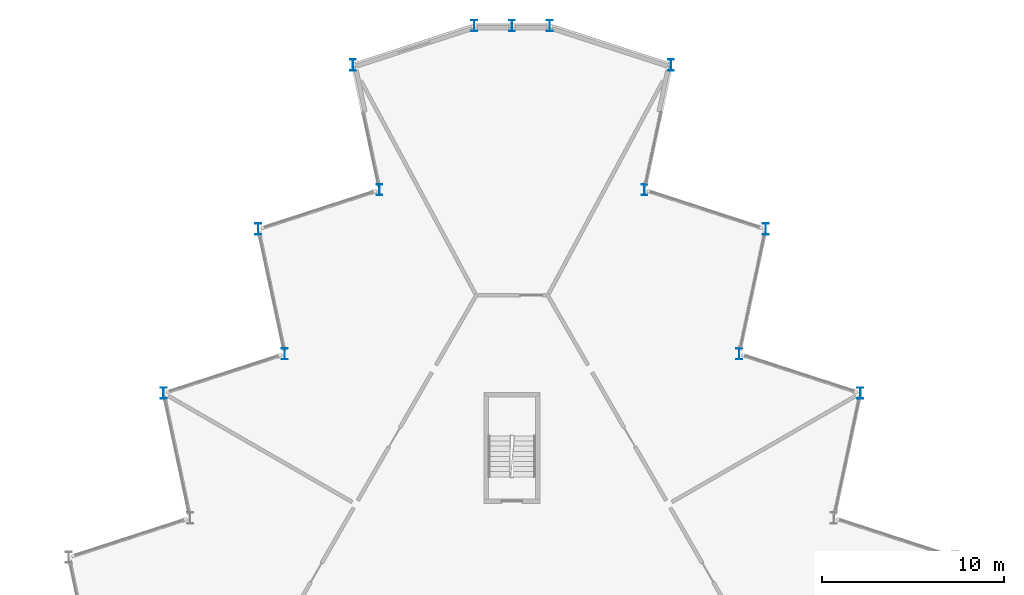
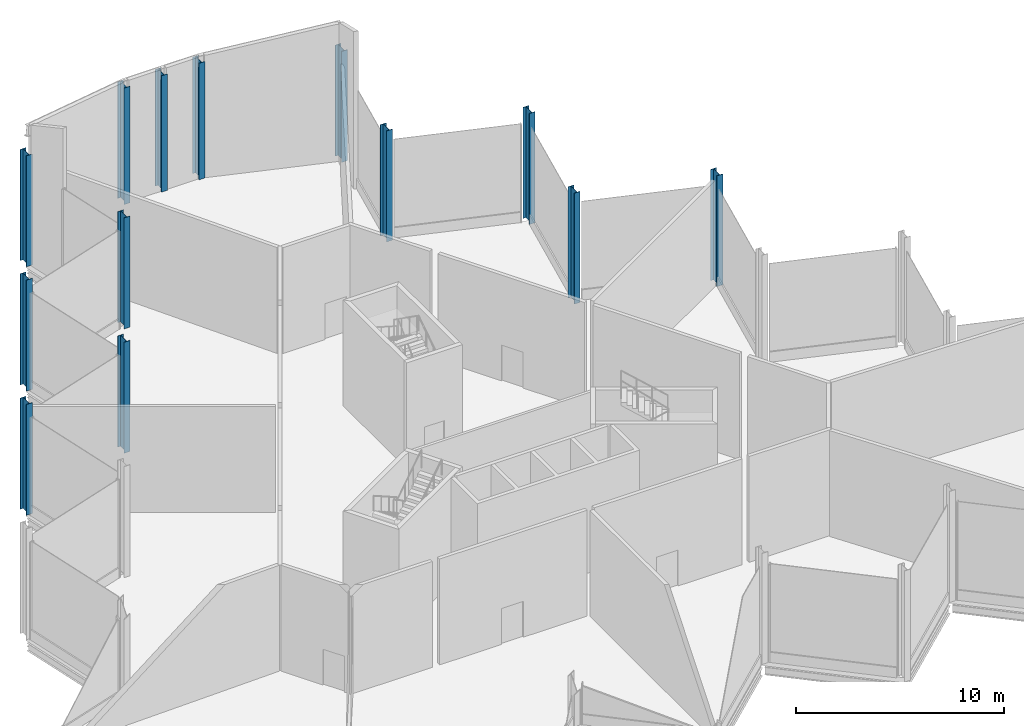
# One storey, part 3 of 12: 13 columns.
"""IFC4 building model written with IfcOpenShell, lengths in metres."""

from ifc_helpers import new_model, si_unit, direction, frame, origin, origin_2d, place, context, subcontext, project, spatial, i_section, extrude, material, material_profile, profile_set, type_object, element, save


model = new_model("IFC4")

# Units and contexts
model_context = context("Model", 3, precision=1e-05, world=origin(), true_north=direction((0.0, 1.0)))
body_context = subcontext(model_context, "Body", "Model", "MODEL_VIEW")
ifc_project = project(units=[si_unit("LENGTHUNIT", "METRE"), si_unit("AREAUNIT", "SQUARE_METRE"), si_unit("VOLUMEUNIT", "CUBIC_METRE"), si_unit("PLANEANGLEUNIT", "RADIAN"), si_unit("MASSUNIT", "GRAM", prefix="KILO")], contexts=[model_context])

# Site, building, storey
site_placement = place(None, origin())
site = spatial("IfcSite", under=ifc_project, at=site_placement, CompositionType="ELEMENT")
building_placement = place(site_placement, origin())
building = spatial("IfcBuilding", under=site, at=building_placement, Name="Cormorant Prow Tower", CompositionType="ELEMENT")
storey_placement = place(building_placement, frame((0.0, 0.0, 428.199951171875)))
storey = spatial("IfcBuildingStorey", under=building, at=storey_placement, Name="L96", CompositionType="ELEMENT", Elevation=428.199951171875)

# Columns
ifc_material = material(Name="Structural steel ASTM A992 Gr 50", Category="steel")
ifc_material_profile = material_profile(ifc_material, i_section(OverallWidth=0.326416015625, OverallDepth=0.621826171875, WebThickness=0.015380859375, FlangeThickness=0.0244140625, at=origin_2d()), Name="W24x131")
ifc_profile_set = profile_set([ifc_material_profile], Name="Structural steel ASTM A992 Gr 50")
column_type = type_object("IfcColumnType", Name="Crown frame column W24x131", PredefinedType="COLUMN", material=ifc_profile_set)
for number, where, z_axis, x_axis, name in (
    (1, (19.128662109375, 11.0439453125, 0.0), (0.0, 0.0, 1.0), (1.0, 0.0, 0.0), "Crown frame column at ENE05 L96"),
    (2, (12.473876953125, 13.206298828125, 0.0), (0.0, 0.0, 1.0), (1.0, 0.0, 0.0), "Crown frame column at ENE06 L96"),
    (3, (13.9287109375, 20.050537109375, 0.0), (0.0, 0.0, 1.0), (1.0, 0.0, 0.0), "Crown frame column at ENE07 L96"),
    (4, (7.273681640625, 22.212890625, 0.0), (0.0, 0.0, 1.0), (1.0, 0.0, 0.0), "Crown frame column at ENE08 L96"),
    (5, (8.728515625, 29.05712890625, 0.0), (0.0, 0.0, 1.0), (1.0, 0.0, 0.0), "Crown frame column at ENE09 L96"),
):
    element("IfcColumn", number, at=place(storey_placement, frame(where, z_axis=z_axis, x_axis=x_axis)), inside=storey, type_object=column_type, Name=name, PredefinedType="COLUMN", context=body_context, shape_type="SweptSolid", body=[
        extrude(i_section(OverallWidth=0.326416015625, OverallDepth=0.621826171875, WebThickness=0.015380859375, FlangeThickness=0.0244140625, at=origin_2d()), origin(), (0.0, 0.0, 1.0), 6.5),
    ])
for number, where, z_axis, x_axis, name in (
    (6, (2.07373046875, 31.219482421875, 0.0), (0.0, 0.0, 1.0), (1.0, 0.0, 0.0), "Crown frame column at N00 L96"),
    (7, (0.0, 31.219482421875, 0.0), (0.0, 0.0, 1.0), (1.0, 0.0, 0.0), "Crown frame column at N01 L96"),
    (8, (-2.07373046875, 31.219482421875, 0.0), (0.0, 0.0, 1.0), (1.0, 0.0, 0.0), "Crown frame column at WNW00 L96"),
):
    element("IfcColumn", number, at=place(storey_placement, frame(where, z_axis=z_axis, x_axis=x_axis)), inside=storey, type_object=column_type, Name=name, PredefinedType="COLUMN", context=body_context, shape_type="SweptSolid", body=[
        extrude(i_section(OverallWidth=0.326416015625, OverallDepth=0.621826171875, WebThickness=0.015380859375, FlangeThickness=0.0244140625, at=origin_2d()), origin(), (0.0, 0.0, 1.0), 6.820556640625),
    ])
for number, where, z_axis, x_axis, name in (
    (9, (-8.728515625, 29.05712890625, 0.0), (0.0, 0.0, 1.0), (1.0, 0.0, 0.0), "Crown frame column at WNW01 L96"),
    (10, (-7.273681640625, 22.212890625, 0.0), (0.0, 0.0, 1.0), (1.0, 0.0, 0.0), "Crown frame column at WNW02 L96"),
    (11, (-13.9287109375, 20.050537109375, 0.0), (0.0, 0.0, 1.0), (1.0, 0.0, 0.0), "Crown frame column at WNW03 L96"),
    (12, (-12.473876953125, 13.206298828125, 0.0), (0.0, 0.0, 1.0), (1.0, 0.0, 0.0), "Crown frame column at WNW04 L96"),
    (13, (-19.128662109375, 11.0439453125, 0.0), (0.0, 0.0, 1.0), (1.0, 0.0, 0.0), "Crown frame column at WNW05 L96"),
):
    element("IfcColumn", number, at=place(storey_placement, frame(where, z_axis=z_axis, x_axis=x_axis)), inside=storey, type_object=column_type, Name=name, PredefinedType="COLUMN", context=body_context, shape_type="SweptSolid", body=[
        extrude(i_section(OverallWidth=0.326416015625, OverallDepth=0.621826171875, WebThickness=0.015380859375, FlangeThickness=0.0244140625, at=origin_2d()), origin(), (0.0, 0.0, 1.0), 6.5),
    ])

save(model, "model.ifc")
